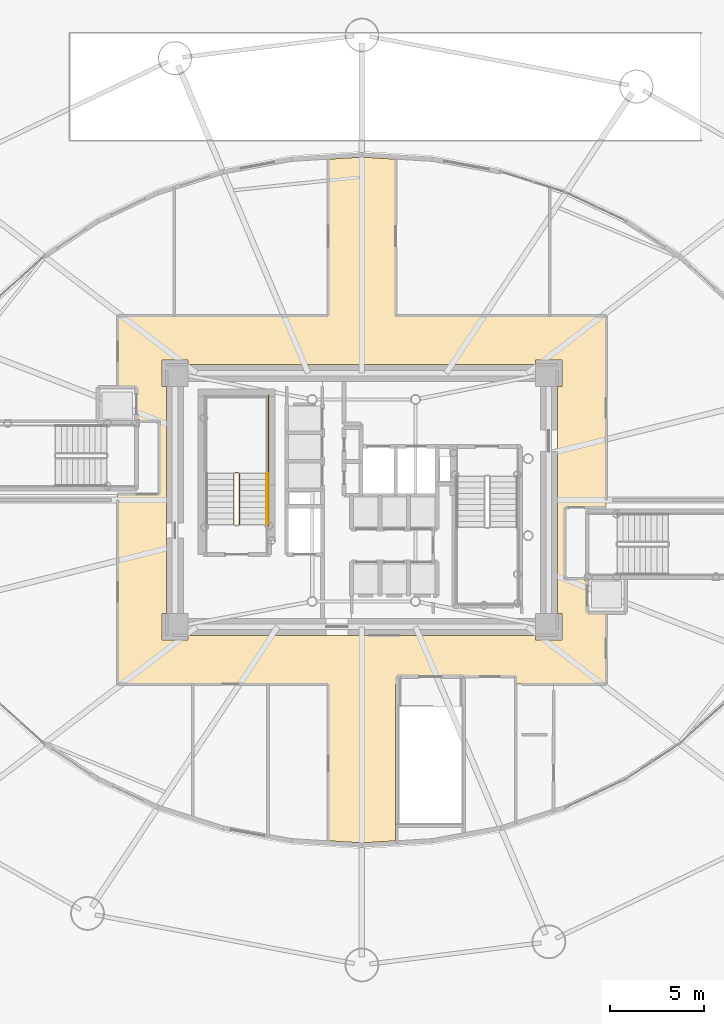
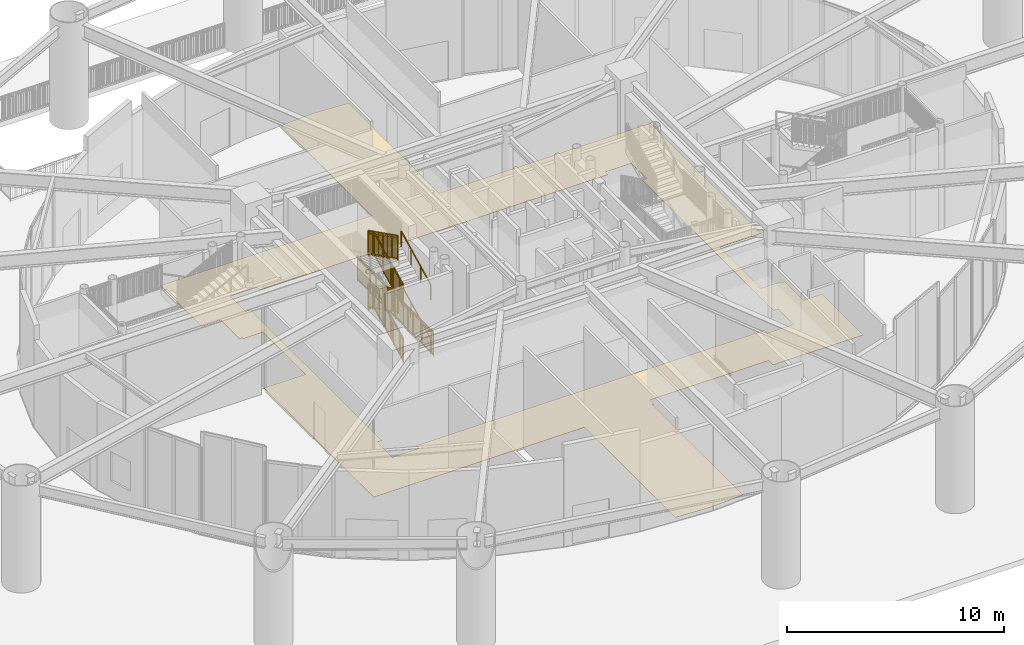
# One storey, part 37 of 46: 9 railings, 1 covering.
"""IFC4 building model written with IfcOpenShell, lengths in metres."""

from ifc_helpers import new_model, si_unit, direction, frame, origin, origin_2d, place, context, subcontext, project, spatial, polyline, rectangle, outline, extrude, source, transform, mapped, material, layer, layer_set, type_object, element, save


model = new_model("IFC4")

# Units and contexts
model_context = context("Model", 3, precision=1e-05, world=origin(), true_north=direction((0.0, 1.0)))
body_context = subcontext(model_context, "Body", "Model", "MODEL_VIEW")
ifc_project = project(units=[si_unit("LENGTHUNIT", "METRE"), si_unit("AREAUNIT", "SQUARE_METRE"), si_unit("VOLUMEUNIT", "CUBIC_METRE"), si_unit("PLANEANGLEUNIT", "RADIAN"), si_unit("MASSUNIT", "GRAM", prefix="KILO")], contexts=[model_context])

# Site, building, storey
site_placement = place(None, origin())
site = spatial("IfcSite", under=ifc_project, at=site_placement, CompositionType="ELEMENT")
building_placement = place(site_placement, origin())
building = spatial("IfcBuilding", under=site, at=building_placement, Name="Linh Dai School and Residence Tower", CompositionType="ELEMENT")
storey_placement = place(building_placement, origin())
storey = spatial("IfcBuildingStorey", under=building, at=storey_placement, Name="L00", CompositionType="ELEMENT", Elevation=0.0)

# Covering
ifc_material_1 = material(Name="Polished Terrazzo Floor Finish", Category="masonry")
ifc_layer = layer(ifc_material_1, 0.02490234375)
ifc_layer_set = layer_set([ifc_layer], Name="Polished Terrazzo Floor Finish")
covering_type = type_object("IfcCoveringType", Name="COV-FLR-TRZ-25", PredefinedType="FLOORING", material=ifc_layer_set)
covering_placement = place(storey_placement, origin())
element("IfcCovering", 1, at=covering_placement, inside=storey, type_object=covering_type, Name="L00 Ground Entrance Concourse and Main Foyer Floor Finish", PredefinedType="FLOORING", context=body_context, shape_type="SweptSolid", body=[
    extrude(outline(polyline([(36.0, 8.75), (34.199951171875, 8.859130859375), (34.199951171875, 17.199951171875), (23.0, 17.199951171875), (23.0, 27.300048828125), (25.199951171875, 27.300048828125), (25.199951171875, 31.199951171875), (24.1533203125, 31.199951171875), (24.1533203125, 31.283203125), (24.0, 31.283203125), (24.0, 33.0), (23.0, 33.0), (23.0, 36.800048828125), (34.199951171875, 36.800048828125), (34.199951171875, 45.140869140625), (36.0, 45.25), (37.800048828125, 45.140869140625), (37.800048828125, 36.800048828125), (49.0, 36.800048828125), (49.0, 26.60009765625), (46.800048828125, 26.60009765625), (46.800048828125, 22.800048828125), (47.8466796875, 22.800048828125), (47.8466796875, 22.716796875), (48.0, 22.716796875), (48.0, 21.0), (49.0, 21.0), (49.0, 17.199951171875), (44.199951171875, 17.199951171875), (44.199951171875, 17.60009765625), (37.8798828125, 17.60009765625), (37.8798828125, 17.199951171875), (37.800048828125, 17.199951171875), (37.800048828125, 8.859130859375), (36.0, 8.75)]), holes=[polyline([(26.75, 34.199951171875), (26.75, 34.449951171875), (25.35009765625, 34.449951171875), (25.35009765625, 33.050048828125), (25.60009765625, 33.050048828125), (25.60009765625, 20.949951171875), (25.35009765625, 20.949951171875), (25.35009765625, 19.550048828125), (26.75, 19.550048828125), (26.75, 19.800048828125), (45.25, 19.800048828125), (45.25, 19.550048828125), (46.64990234375, 19.550048828125), (46.64990234375, 20.949951171875), (46.39990234375, 20.949951171875), (46.39990234375, 33.050048828125), (46.64990234375, 33.050048828125), (46.64990234375, 34.449951171875), (45.25, 34.449951171875), (45.25, 34.199951171875), (26.75, 34.199951171875)])]), origin(), (0.0, 0.0, 1.0), 0.02001953125),
])

# Railings
ifc_material_2 = material(Name="Structural Steel S355JR", Category="steel")
railing_type_1 = type_object("IfcRailingType", Name="RL-ST-GUARD-1400", PredefinedType="GUARDRAIL", material=ifc_material_2)
shared_shape_1 = source(origin(), body_context, "Body", "SweptSolid", [
    extrude(rectangle(XDim=0.048095703125, YDim=0.048095703125, at=origin_2d()), frame((0.0, 0.0, 1.3759765625), z_axis=(-1.0, 0.0, 0.0), x_axis=(0.0, -1.0, 0.0)), (0.0, 0.0, 1.0), 0.199951171875),
    extrude(rectangle(XDim=0.048095703125, YDim=0.048095703125, at=origin_2d()), frame((0.0, 0.0, 0.10009765625), z_axis=(-1.0, 0.0, 0.0), x_axis=(0.0, -1.0, 0.0)), (0.0, 0.0, 1.0), 0.199951171875),
    extrude(rectangle(XDim=0.030029296875, YDim=0.030029296875, at=origin_2d()), frame((0.0, 0.0, 1.239990234375), z_axis=(-1.0, 0.0, 0.0), x_axis=(0.0, -1.0, 0.0)), (0.0, 0.0, 1.0), 0.199951171875),
    extrude(rectangle(XDim=0.0419921875, YDim=0.0419921875, at=origin_2d()), origin(), (0.0, 0.0, 1.0), 1.3759765625),
    extrude(rectangle(XDim=0.0419921875, YDim=0.0419921875, at=origin_2d()), frame((-0.199951171875, 0.0, 0.0)), (0.0, 0.0, 1.0), 1.3759765625),
])
for number, where, name in (
    (2, (29.429931640625, 28.449951171875, 1.5), "L00 ST1 stair guard 2"),
    (3, (29.429931640625, 28.449951171875, 4.5), "L00 ST1 stair guard 11"),
):
    element("IfcRailing", number, at=place(storey_placement, frame(where)), inside=storey, type_object=railing_type_1, Name=name, PredefinedType="GUARDRAIL", context=body_context, shape_type="MappedRepresentation", body=[
        mapped(shared_shape_1, transform((0.0, 0.0, 0.0), x_axis=(1.0, 0.0, 0.0), y_axis=(0.0, 1.0, 0.0), z_axis=(0.0, 0.0, 1.0), scale=1.0)),
    ])
shared_shape_2 = source(origin(), body_context, "Body", "SweptSolid", [
    extrude(rectangle(XDim=0.048095703125, YDim=0.048095703125, at=origin_2d()), frame((0.0, 0.0, 1.3759765625), z_axis=(0.0, 1.0, 0.0), x_axis=(-1.0, 0.0, 0.0)), (0.0, 0.0, 1.0), 7.0),
    extrude(rectangle(XDim=0.048095703125, YDim=0.048095703125, at=origin_2d()), frame((0.0, 0.0, 0.10009765625), z_axis=(0.0, 1.0, 0.0), x_axis=(-1.0, 0.0, 0.0)), (0.0, 0.0, 1.0), 7.0),
    extrude(rectangle(XDim=0.030029296875, YDim=0.030029296875, at=origin_2d()), frame((0.0, 0.0, 1.239990234375), z_axis=(0.0, 1.0, 0.0), x_axis=(-1.0, 0.0, 0.0)), (0.0, 0.0, 1.0), 7.0),
    extrude(rectangle(XDim=0.02001953125, YDim=0.02001953125, at=origin_2d()), frame((0.0, 0.09716796875, 0.10009765625)), (0.0, 0.0, 1.0), 1.251708984375),
    extrude(rectangle(XDim=0.02001953125, YDim=0.02001953125, at=origin_2d()), frame((0.0, 0.1943359375, 0.10009765625)), (0.0, 0.0, 1.0), 1.251708984375),
    extrude(rectangle(XDim=0.02001953125, YDim=0.02001953125, at=origin_2d()), frame((0.0, 0.291748046875, 0.10009765625)), (0.0, 0.0, 1.0), 1.251708984375),
    extrude(rectangle(XDim=0.02001953125, YDim=0.02001953125, at=origin_2d()), frame((0.0, 0.388916015625, 0.10009765625)), (0.0, 0.0, 1.0), 1.251708984375),
    extrude(rectangle(XDim=0.02001953125, YDim=0.02001953125, at=origin_2d()), frame((0.0, 0.486083984375, 0.10009765625)), (0.0, 0.0, 1.0), 1.251708984375),
    extrude(rectangle(XDim=0.02001953125, YDim=0.02001953125, at=origin_2d()), frame((0.0, 0.583251953125, 0.10009765625)), (0.0, 0.0, 1.0), 1.251708984375),
    extrude(rectangle(XDim=0.02001953125, YDim=0.02001953125, at=origin_2d()), frame((0.0, 0.6806640625, 0.10009765625)), (0.0, 0.0, 1.0), 1.251708984375),
    extrude(rectangle(XDim=0.02001953125, YDim=0.02001953125, at=origin_2d()), frame((0.0, 0.77783203125, 0.10009765625)), (0.0, 0.0, 1.0), 1.251708984375),
    extrude(rectangle(XDim=0.02001953125, YDim=0.02001953125, at=origin_2d()), frame((0.0, 0.875, 0.10009765625)), (0.0, 0.0, 1.0), 1.251708984375),
    extrude(rectangle(XDim=0.02001953125, YDim=0.02001953125, at=origin_2d()), frame((0.0, 0.97216796875, 0.10009765625)), (0.0, 0.0, 1.0), 1.251708984375),
    extrude(rectangle(XDim=0.02001953125, YDim=0.02001953125, at=origin_2d()), frame((0.0, 1.0693359375, 0.10009765625)), (0.0, 0.0, 1.0), 1.251708984375),
    extrude(rectangle(XDim=0.02001953125, YDim=0.02001953125, at=origin_2d()), frame((0.0, 1.263916015625, 0.10009765625)), (0.0, 0.0, 1.0), 1.251708984375),
    extrude(rectangle(XDim=0.02001953125, YDim=0.02001953125, at=origin_2d()), frame((0.0, 1.361083984375, 0.10009765625)), (0.0, 0.0, 1.0), 1.251708984375),
    extrude(rectangle(XDim=0.02001953125, YDim=0.02001953125, at=origin_2d()), frame((0.0, 1.458251953125, 0.10009765625)), (0.0, 0.0, 1.0), 1.251708984375),
    extrude(rectangle(XDim=0.02001953125, YDim=0.02001953125, at=origin_2d()), frame((0.0, 1.5556640625, 0.10009765625)), (0.0, 0.0, 1.0), 1.251708984375),
    extrude(rectangle(XDim=0.02001953125, YDim=0.02001953125, at=origin_2d()), frame((0.0, 1.65283203125, 0.10009765625)), (0.0, 0.0, 1.0), 1.251708984375),
    extrude(rectangle(XDim=0.02001953125, YDim=0.02001953125, at=origin_2d()), frame((0.0, 1.75, 0.10009765625)), (0.0, 0.0, 1.0), 1.251708984375),
    extrude(rectangle(XDim=0.02001953125, YDim=0.02001953125, at=origin_2d()), frame((0.0, 1.84716796875, 0.10009765625)), (0.0, 0.0, 1.0), 1.251708984375),
    extrude(rectangle(XDim=0.02001953125, YDim=0.02001953125, at=origin_2d()), frame((0.0, 1.9443359375, 0.10009765625)), (0.0, 0.0, 1.0), 1.251708984375),
    extrude(rectangle(XDim=0.02001953125, YDim=0.02001953125, at=origin_2d()), frame((0.0, 2.041748046875, 0.10009765625)), (0.0, 0.0, 1.0), 1.251708984375),
    extrude(rectangle(XDim=0.02001953125, YDim=0.02001953125, at=origin_2d()), frame((0.0, 2.138916015625, 0.10009765625)), (0.0, 0.0, 1.0), 1.251708984375),
    extrude(rectangle(XDim=0.02001953125, YDim=0.02001953125, at=origin_2d()), frame((0.0, 2.236083984375, 0.10009765625)), (0.0, 0.0, 1.0), 1.251708984375),
    extrude(rectangle(XDim=0.02001953125, YDim=0.02001953125, at=origin_2d()), frame((0.0, 2.4306640625, 0.10009765625)), (0.0, 0.0, 1.0), 1.251708984375),
    extrude(rectangle(XDim=0.02001953125, YDim=0.02001953125, at=origin_2d()), frame((0.0, 2.52783203125, 0.10009765625)), (0.0, 0.0, 1.0), 1.251708984375),
    extrude(rectangle(XDim=0.02001953125, YDim=0.02001953125, at=origin_2d()), frame((0.0, 2.625, 0.10009765625)), (0.0, 0.0, 1.0), 1.251708984375),
    extrude(rectangle(XDim=0.02001953125, YDim=0.02001953125, at=origin_2d()), frame((0.0, 2.72216796875, 0.10009765625)), (0.0, 0.0, 1.0), 1.251708984375),
    extrude(rectangle(XDim=0.02001953125, YDim=0.02001953125, at=origin_2d()), frame((0.0, 2.8193359375, 0.10009765625)), (0.0, 0.0, 1.0), 1.251708984375),
    extrude(rectangle(XDim=0.02001953125, YDim=0.02001953125, at=origin_2d()), frame((0.0, 2.916748046875, 0.10009765625)), (0.0, 0.0, 1.0), 1.251708984375),
    extrude(rectangle(XDim=0.02001953125, YDim=0.02001953125, at=origin_2d()), frame((0.0, 3.013916015625, 0.10009765625)), (0.0, 0.0, 1.0), 1.251708984375),
    extrude(rectangle(XDim=0.02001953125, YDim=0.02001953125, at=origin_2d()), frame((0.0, 3.111083984375, 0.10009765625)), (0.0, 0.0, 1.0), 1.251708984375),
    extrude(rectangle(XDim=0.02001953125, YDim=0.02001953125, at=origin_2d()), frame((0.0, 3.208251953125, 0.10009765625)), (0.0, 0.0, 1.0), 1.251708984375),
    extrude(rectangle(XDim=0.02001953125, YDim=0.02001953125, at=origin_2d()), frame((0.0, 3.3056640625, 0.10009765625)), (0.0, 0.0, 1.0), 1.251708984375),
    extrude(rectangle(XDim=0.02001953125, YDim=0.02001953125, at=origin_2d()), frame((0.0, 3.40283203125, 0.10009765625)), (0.0, 0.0, 1.0), 1.251708984375),
    extrude(rectangle(XDim=0.02001953125, YDim=0.02001953125, at=origin_2d()), frame((0.0, 3.59716796875, 0.10009765625)), (0.0, 0.0, 1.0), 1.251708984375),
    extrude(rectangle(XDim=0.02001953125, YDim=0.02001953125, at=origin_2d()), frame((0.0, 3.6943359375, 0.10009765625)), (0.0, 0.0, 1.0), 1.251708984375),
    extrude(rectangle(XDim=0.02001953125, YDim=0.02001953125, at=origin_2d()), frame((0.0, 3.791748046875, 0.10009765625)), (0.0, 0.0, 1.0), 1.251708984375),
    extrude(rectangle(XDim=0.02001953125, YDim=0.02001953125, at=origin_2d()), frame((0.0, 3.888916015625, 0.10009765625)), (0.0, 0.0, 1.0), 1.251708984375),
    extrude(rectangle(XDim=0.02001953125, YDim=0.02001953125, at=origin_2d()), frame((0.0, 3.986083984375, 0.10009765625)), (0.0, 0.0, 1.0), 1.251708984375),
    extrude(rectangle(XDim=0.02001953125, YDim=0.02001953125, at=origin_2d()), frame((0.0, 4.083251953125, 0.10009765625)), (0.0, 0.0, 1.0), 1.251708984375),
    extrude(rectangle(XDim=0.02001953125, YDim=0.02001953125, at=origin_2d()), frame((0.0, 4.1806640625, 0.10009765625)), (0.0, 0.0, 1.0), 1.251708984375),
    extrude(rectangle(XDim=0.02001953125, YDim=0.02001953125, at=origin_2d()), frame((0.0, 4.27783203125, 0.10009765625)), (0.0, 0.0, 1.0), 1.251708984375),
    extrude(rectangle(XDim=0.02001953125, YDim=0.02001953125, at=origin_2d()), frame((0.0, 4.375, 0.10009765625)), (0.0, 0.0, 1.0), 1.251708984375),
    extrude(rectangle(XDim=0.02001953125, YDim=0.02001953125, at=origin_2d()), frame((0.0, 4.47216796875, 0.10009765625)), (0.0, 0.0, 1.0), 1.251708984375),
    extrude(rectangle(XDim=0.02001953125, YDim=0.02001953125, at=origin_2d()), frame((0.0, 4.5693359375, 0.10009765625)), (0.0, 0.0, 1.0), 1.251708984375),
    extrude(rectangle(XDim=0.02001953125, YDim=0.02001953125, at=origin_2d()), frame((0.0, 4.763916015625, 0.10009765625)), (0.0, 0.0, 1.0), 1.251708984375),
    extrude(rectangle(XDim=0.02001953125, YDim=0.02001953125, at=origin_2d()), frame((0.0, 4.861083984375, 0.10009765625)), (0.0, 0.0, 1.0), 1.251708984375),
    extrude(rectangle(XDim=0.02001953125, YDim=0.02001953125, at=origin_2d()), frame((0.0, 4.958251953125, 0.10009765625)), (0.0, 0.0, 1.0), 1.251708984375),
    extrude(rectangle(XDim=0.02001953125, YDim=0.02001953125, at=origin_2d()), frame((0.0, 5.0556640625, 0.10009765625)), (0.0, 0.0, 1.0), 1.251708984375),
    extrude(rectangle(XDim=0.02001953125, YDim=0.02001953125, at=origin_2d()), frame((0.0, 5.15283203125, 0.10009765625)), (0.0, 0.0, 1.0), 1.251708984375),
    extrude(rectangle(XDim=0.02001953125, YDim=0.02001953125, at=origin_2d()), frame((0.0, 5.25, 0.10009765625)), (0.0, 0.0, 1.0), 1.251708984375),
    extrude(rectangle(XDim=0.02001953125, YDim=0.02001953125, at=origin_2d()), frame((0.0, 5.34716796875, 0.10009765625)), (0.0, 0.0, 1.0), 1.251708984375),
    extrude(rectangle(XDim=0.02001953125, YDim=0.02001953125, at=origin_2d()), frame((0.0, 5.4443359375, 0.10009765625)), (0.0, 0.0, 1.0), 1.251708984375),
    extrude(rectangle(XDim=0.02001953125, YDim=0.02001953125, at=origin_2d()), frame((0.0, 5.541748046875, 0.10009765625)), (0.0, 0.0, 1.0), 1.251708984375),
    extrude(rectangle(XDim=0.02001953125, YDim=0.02001953125, at=origin_2d()), frame((0.0, 5.638916015625, 0.10009765625)), (0.0, 0.0, 1.0), 1.251708984375),
    extrude(rectangle(XDim=0.02001953125, YDim=0.02001953125, at=origin_2d()), frame((0.0, 5.736083984375, 0.10009765625)), (0.0, 0.0, 1.0), 1.251708984375),
    extrude(rectangle(XDim=0.02001953125, YDim=0.02001953125, at=origin_2d()), frame((0.0, 5.9306640625, 0.10009765625)), (0.0, 0.0, 1.0), 1.251708984375),
    extrude(rectangle(XDim=0.02001953125, YDim=0.02001953125, at=origin_2d()), frame((0.0, 6.02783203125, 0.10009765625)), (0.0, 0.0, 1.0), 1.251708984375),
    extrude(rectangle(XDim=0.02001953125, YDim=0.02001953125, at=origin_2d()), frame((0.0, 6.125, 0.10009765625)), (0.0, 0.0, 1.0), 1.251708984375),
    extrude(rectangle(XDim=0.02001953125, YDim=0.02001953125, at=origin_2d()), frame((0.0, 6.22216796875, 0.10009765625)), (0.0, 0.0, 1.0), 1.251708984375),
    extrude(rectangle(XDim=0.02001953125, YDim=0.02001953125, at=origin_2d()), frame((0.0, 6.3193359375, 0.10009765625)), (0.0, 0.0, 1.0), 1.251708984375),
    extrude(rectangle(XDim=0.02001953125, YDim=0.02001953125, at=origin_2d()), frame((0.0, 6.416748046875, 0.10009765625)), (0.0, 0.0, 1.0), 1.251708984375),
    extrude(rectangle(XDim=0.02001953125, YDim=0.02001953125, at=origin_2d()), frame((0.0, 6.513916015625, 0.10009765625)), (0.0, 0.0, 1.0), 1.251708984375),
    extrude(rectangle(XDim=0.02001953125, YDim=0.02001953125, at=origin_2d()), frame((0.0, 6.611083984375, 0.10009765625)), (0.0, 0.0, 1.0), 1.251708984375),
    extrude(rectangle(XDim=0.02001953125, YDim=0.02001953125, at=origin_2d()), frame((0.0, 6.708251953125, 0.10009765625)), (0.0, 0.0, 1.0), 1.251708984375),
    extrude(rectangle(XDim=0.02001953125, YDim=0.02001953125, at=origin_2d()), frame((0.0, 6.8056640625, 0.10009765625)), (0.0, 0.0, 1.0), 1.251708984375),
    extrude(rectangle(XDim=0.02001953125, YDim=0.02001953125, at=origin_2d()), frame((0.0, 6.90283203125, 0.10009765625)), (0.0, 0.0, 1.0), 1.251708984375),
    extrude(rectangle(XDim=0.0419921875, YDim=0.0419921875, at=origin_2d()), origin(), (0.0, 0.0, 1.0), 1.3759765625),
    extrude(rectangle(XDim=0.0419921875, YDim=0.0419921875, at=origin_2d()), frame((0.0, 1.166748046875, 0.0)), (0.0, 0.0, 1.0), 1.3759765625),
    extrude(rectangle(XDim=0.0419921875, YDim=0.0419921875, at=origin_2d()), frame((0.0, 2.333251953125, 0.0)), (0.0, 0.0, 1.0), 1.3759765625),
    extrude(rectangle(XDim=0.0419921875, YDim=0.0419921875, at=origin_2d()), frame((0.0, 3.5, 0.0)), (0.0, 0.0, 1.0), 1.3759765625),
    extrude(rectangle(XDim=0.0419921875, YDim=0.0419921875, at=origin_2d()), frame((0.0, 4.666748046875, 0.0)), (0.0, 0.0, 1.0), 1.3759765625),
    extrude(rectangle(XDim=0.0419921875, YDim=0.0419921875, at=origin_2d()), frame((0.0, 5.833251953125, 0.0)), (0.0, 0.0, 1.0), 1.3759765625),
    extrude(rectangle(XDim=0.0419921875, YDim=0.0419921875, at=origin_2d()), frame((0.0, 7.0, 0.0)), (0.0, 0.0, 1.0), 1.3759765625),
])
railing_placement = place(storey_placement, frame((31.030029296875, 25.60009765625, 0.0)))
element("IfcRailing", 4, at=railing_placement, inside=storey, type_object=railing_type_1, Name="L00 ST1 stair guard 19", PredefinedType="GUARDRAIL", context=body_context, shape_type="MappedRepresentation", body=[
    mapped(shared_shape_2, transform((0.0, 0.0, 0.0), x_axis=(1.0, 0.0, 0.0), y_axis=(0.0, 1.0, 0.0), z_axis=(0.0, 0.0, 1.0), scale=1.0)),
])
shared_shape_3 = source(origin(), body_context, "Body", "SweptSolid", [
    extrude(rectangle(XDim=0.048095703125, YDim=0.048095703125, at=origin_2d()), frame((0.0, 0.0, 1.3759765625), z_axis=(0.0, 0.894411015155, 0.447245945728), x_axis=(-1.0, 0.0, 0.0)), (0.0, 0.0, 1.0), 3.018798828125),
    extrude(rectangle(XDim=0.048095703125, YDim=0.048095703125, at=origin_2d()), frame((0.0, 0.0, 0.10009765625), z_axis=(0.0, 0.894411015155, 0.447245945728), x_axis=(-1.0, 0.0, 0.0)), (0.0, 0.0, 1.0), 3.018798828125),
    extrude(rectangle(XDim=0.030029296875, YDim=0.030029296875, at=origin_2d()), frame((0.0, 0.0, 1.239990234375), z_axis=(0.0, 0.894411015155, 0.447245945728), x_axis=(-1.0, 0.0, 0.0)), (0.0, 0.0, 1.0), 3.018798828125),
    extrude(rectangle(XDim=0.02001953125, YDim=0.02001953125, at=origin_2d()), frame((0.0, 0.087158203125, 0.1435546875)), (0.0, 0.0, 1.0), 1.251708984375),
    extrude(rectangle(XDim=0.02001953125, YDim=0.02001953125, at=origin_2d()), frame((0.0, 0.174072265625, 0.187255859375)), (0.0, 0.0, 1.0), 1.251708984375),
    extrude(rectangle(XDim=0.02001953125, YDim=0.02001953125, at=origin_2d()), frame((0.0, 0.26123046875, 0.230712890625)), (0.0, 0.0, 1.0), 1.251708984375),
    extrude(rectangle(XDim=0.02001953125, YDim=0.02001953125, at=origin_2d()), frame((0.0, 0.348388671875, 0.2744140625)), (0.0, 0.0, 1.0), 1.251708984375),
    extrude(rectangle(XDim=0.02001953125, YDim=0.02001953125, at=origin_2d()), frame((0.0, 0.435546875, 0.31787109375)), (0.0, 0.0, 1.0), 1.251708984375),
    extrude(rectangle(XDim=0.02001953125, YDim=0.02001953125, at=origin_2d()), frame((0.0, 0.5224609375, 0.361328125)), (0.0, 0.0, 1.0), 1.251708984375),
    extrude(rectangle(XDim=0.02001953125, YDim=0.02001953125, at=origin_2d()), frame((0.0, 0.609619140625, 0.405029296875)), (0.0, 0.0, 1.0), 1.251708984375),
    extrude(rectangle(XDim=0.02001953125, YDim=0.02001953125, at=origin_2d()), frame((0.0, 0.69677734375, 0.448486328125)), (0.0, 0.0, 1.0), 1.251708984375),
    extrude(rectangle(XDim=0.02001953125, YDim=0.02001953125, at=origin_2d()), frame((0.0, 0.783935546875, 0.491943359375)), (0.0, 0.0, 1.0), 1.251708984375),
    extrude(rectangle(XDim=0.02001953125, YDim=0.02001953125, at=origin_2d()), frame((0.0, 0.9580078125, 0.5791015625)), (0.0, 0.0, 1.0), 1.251708984375),
    extrude(rectangle(XDim=0.02001953125, YDim=0.02001953125, at=origin_2d()), frame((0.0, 1.045166015625, 0.622802734375)), (0.0, 0.0, 1.0), 1.251708984375),
    extrude(rectangle(XDim=0.02001953125, YDim=0.02001953125, at=origin_2d()), frame((0.0, 1.13232421875, 0.666259765625)), (0.0, 0.0, 1.0), 1.251708984375),
    extrude(rectangle(XDim=0.02001953125, YDim=0.02001953125, at=origin_2d()), frame((0.0, 1.21923828125, 0.709716796875)), (0.0, 0.0, 1.0), 1.251708984375),
    extrude(rectangle(XDim=0.02001953125, YDim=0.02001953125, at=origin_2d()), frame((0.0, 1.306396484375, 0.75341796875)), (0.0, 0.0, 1.0), 1.251708984375),
    extrude(rectangle(XDim=0.02001953125, YDim=0.02001953125, at=origin_2d()), frame((0.0, 1.3935546875, 0.796875)), (0.0, 0.0, 1.0), 1.251708984375),
    extrude(rectangle(XDim=0.02001953125, YDim=0.02001953125, at=origin_2d()), frame((0.0, 1.480712890625, 0.840576171875)), (0.0, 0.0, 1.0), 1.251708984375),
    extrude(rectangle(XDim=0.02001953125, YDim=0.02001953125, at=origin_2d()), frame((0.0, 1.567626953125, 0.884033203125)), (0.0, 0.0, 1.0), 1.251708984375),
    extrude(rectangle(XDim=0.02001953125, YDim=0.02001953125, at=origin_2d()), frame((0.0, 1.65478515625, 0.927490234375)), (0.0, 0.0, 1.0), 1.251708984375),
    extrude(rectangle(XDim=0.02001953125, YDim=0.02001953125, at=origin_2d()), frame((0.0, 1.741943359375, 0.97119140625)), (0.0, 0.0, 1.0), 1.251708984375),
    extrude(rectangle(XDim=0.02001953125, YDim=0.02001953125, at=origin_2d()), frame((0.0, 1.916015625, 1.058349609375)), (0.0, 0.0, 1.0), 1.251708984375),
    extrude(rectangle(XDim=0.02001953125, YDim=0.02001953125, at=origin_2d()), frame((0.0, 2.003173828125, 1.101806640625)), (0.0, 0.0, 1.0), 1.251708984375),
    extrude(rectangle(XDim=0.02001953125, YDim=0.02001953125, at=origin_2d()), frame((0.0, 2.09033203125, 1.145263671875)), (0.0, 0.0, 1.0), 1.251708984375),
    extrude(rectangle(XDim=0.02001953125, YDim=0.02001953125, at=origin_2d()), frame((0.0, 2.177490234375, 1.18896484375)), (0.0, 0.0, 1.0), 1.251708984375),
    extrude(rectangle(XDim=0.02001953125, YDim=0.02001953125, at=origin_2d()), frame((0.0, 2.264404296875, 1.232421875)), (0.0, 0.0, 1.0), 1.251708984375),
    extrude(rectangle(XDim=0.02001953125, YDim=0.02001953125, at=origin_2d()), frame((0.0, 2.3515625, 1.27587890625)), (0.0, 0.0, 1.0), 1.251708984375),
    extrude(rectangle(XDim=0.02001953125, YDim=0.02001953125, at=origin_2d()), frame((0.0, 2.438720703125, 1.319580078125)), (0.0, 0.0, 1.0), 1.251708984375),
    extrude(rectangle(XDim=0.02001953125, YDim=0.02001953125, at=origin_2d()), frame((0.0, 2.52587890625, 1.363037109375)), (0.0, 0.0, 1.0), 1.251708984375),
    extrude(rectangle(XDim=0.02001953125, YDim=0.02001953125, at=origin_2d()), frame((0.0, 2.61279296875, 1.40673828125)), (0.0, 0.0, 1.0), 1.251708984375),
    extrude(rectangle(XDim=0.0419921875, YDim=0.0419921875, at=origin_2d()), origin(), (0.0, 0.0, 1.0), 1.3759765625),
    extrude(rectangle(XDim=0.0419921875, YDim=0.0419921875, at=origin_2d()), frame((0.0, 0.89990234375, 0.449951171875)), (0.0, 0.0, 1.0), 1.3759765625),
    extrude(rectangle(XDim=0.0419921875, YDim=0.0419921875, at=origin_2d()), frame((0.0, 1.800048828125, 0.900146484375)), (0.0, 0.0, 1.0), 1.3759765625),
    extrude(rectangle(XDim=0.0419921875, YDim=0.0419921875, at=origin_2d()), frame((0.0, 2.699951171875, 1.35009765625)), (0.0, 0.0, 1.0), 1.3759765625),
])
for number, where, name in (
    (5, (29.47998046875, 25.699951171875, 0.14990234375), "L00 ST1 stair guard 1"),
    (6, (29.47998046875, 25.699951171875, 3.14990234375), "L00 ST1 stair guard 10"),
):
    element("IfcRailing", number, at=place(storey_placement, frame(where)), inside=storey, type_object=railing_type_1, Name=name, PredefinedType="GUARDRAIL", context=body_context, shape_type="MappedRepresentation", body=[
        mapped(shared_shape_3, transform((0.0, 0.0, 0.0), x_axis=(1.0, 0.0, 0.0), y_axis=(0.0, 1.0, 0.0), z_axis=(0.0, 0.0, 1.0), scale=1.0)),
    ])
shared_shape_4 = source(origin(), body_context, "Body", "SweptSolid", [
    extrude(rectangle(XDim=0.048095703125, YDim=0.048095703125, at=origin_2d()), frame((0.0, 0.0, 1.3759765625), z_axis=(0.0, -0.894411015155, 0.447245945728), x_axis=(1.0, 0.0, 0.0)), (0.0, 0.0, 1.0), 3.018798828125),
    extrude(rectangle(XDim=0.048095703125, YDim=0.048095703125, at=origin_2d()), frame((0.0, 0.0, 0.10009765625), z_axis=(0.0, -0.894411015155, 0.447245945728), x_axis=(1.0, 0.0, 0.0)), (0.0, 0.0, 1.0), 3.018798828125),
    extrude(rectangle(XDim=0.030029296875, YDim=0.030029296875, at=origin_2d()), frame((0.0, 0.0, 1.239990234375), z_axis=(0.0, -0.894411015155, 0.447245945728), x_axis=(1.0, 0.0, 0.0)), (0.0, 0.0, 1.0), 3.018798828125),
    extrude(rectangle(XDim=0.02001953125, YDim=0.02001953125, at=origin_2d()), frame((0.0, -0.087158203125, 0.1435546875)), (0.0, 0.0, 1.0), 1.251708984375),
    extrude(rectangle(XDim=0.02001953125, YDim=0.02001953125, at=origin_2d()), frame((0.0, -0.174072265625, 0.187255859375)), (0.0, 0.0, 1.0), 1.251708984375),
    extrude(rectangle(XDim=0.02001953125, YDim=0.02001953125, at=origin_2d()), frame((0.0, -0.26123046875, 0.230712890625)), (0.0, 0.0, 1.0), 1.251708984375),
    extrude(rectangle(XDim=0.02001953125, YDim=0.02001953125, at=origin_2d()), frame((0.0, -0.348388671875, 0.2744140625)), (0.0, 0.0, 1.0), 1.251708984375),
    extrude(rectangle(XDim=0.02001953125, YDim=0.02001953125, at=origin_2d()), frame((0.0, -0.435546875, 0.31787109375)), (0.0, 0.0, 1.0), 1.251708984375),
    extrude(rectangle(XDim=0.02001953125, YDim=0.02001953125, at=origin_2d()), frame((0.0, -0.5224609375, 0.361328125)), (0.0, 0.0, 1.0), 1.251708984375),
    extrude(rectangle(XDim=0.02001953125, YDim=0.02001953125, at=origin_2d()), frame((0.0, -0.609619140625, 0.405029296875)), (0.0, 0.0, 1.0), 1.251708984375),
    extrude(rectangle(XDim=0.02001953125, YDim=0.02001953125, at=origin_2d()), frame((0.0, -0.69677734375, 0.448486328125)), (0.0, 0.0, 1.0), 1.251708984375),
    extrude(rectangle(XDim=0.02001953125, YDim=0.02001953125, at=origin_2d()), frame((0.0, -0.783935546875, 0.491943359375)), (0.0, 0.0, 1.0), 1.251708984375),
    extrude(rectangle(XDim=0.02001953125, YDim=0.02001953125, at=origin_2d()), frame((0.0, -0.9580078125, 0.5791015625)), (0.0, 0.0, 1.0), 1.251708984375),
    extrude(rectangle(XDim=0.02001953125, YDim=0.02001953125, at=origin_2d()), frame((0.0, -1.045166015625, 0.622802734375)), (0.0, 0.0, 1.0), 1.251708984375),
    extrude(rectangle(XDim=0.02001953125, YDim=0.02001953125, at=origin_2d()), frame((0.0, -1.13232421875, 0.666259765625)), (0.0, 0.0, 1.0), 1.251708984375),
    extrude(rectangle(XDim=0.02001953125, YDim=0.02001953125, at=origin_2d()), frame((0.0, -1.21923828125, 0.709716796875)), (0.0, 0.0, 1.0), 1.251708984375),
    extrude(rectangle(XDim=0.02001953125, YDim=0.02001953125, at=origin_2d()), frame((0.0, -1.306396484375, 0.75341796875)), (0.0, 0.0, 1.0), 1.251708984375),
    extrude(rectangle(XDim=0.02001953125, YDim=0.02001953125, at=origin_2d()), frame((0.0, -1.3935546875, 0.796875)), (0.0, 0.0, 1.0), 1.251708984375),
    extrude(rectangle(XDim=0.02001953125, YDim=0.02001953125, at=origin_2d()), frame((0.0, -1.480712890625, 0.840576171875)), (0.0, 0.0, 1.0), 1.251708984375),
    extrude(rectangle(XDim=0.02001953125, YDim=0.02001953125, at=origin_2d()), frame((0.0, -1.567626953125, 0.884033203125)), (0.0, 0.0, 1.0), 1.251708984375),
    extrude(rectangle(XDim=0.02001953125, YDim=0.02001953125, at=origin_2d()), frame((0.0, -1.65478515625, 0.927490234375)), (0.0, 0.0, 1.0), 1.251708984375),
    extrude(rectangle(XDim=0.02001953125, YDim=0.02001953125, at=origin_2d()), frame((0.0, -1.741943359375, 0.97119140625)), (0.0, 0.0, 1.0), 1.251708984375),
    extrude(rectangle(XDim=0.02001953125, YDim=0.02001953125, at=origin_2d()), frame((0.0, -1.916015625, 1.058349609375)), (0.0, 0.0, 1.0), 1.251708984375),
    extrude(rectangle(XDim=0.02001953125, YDim=0.02001953125, at=origin_2d()), frame((0.0, -2.003173828125, 1.101806640625)), (0.0, 0.0, 1.0), 1.251708984375),
    extrude(rectangle(XDim=0.02001953125, YDim=0.02001953125, at=origin_2d()), frame((0.0, -2.09033203125, 1.145263671875)), (0.0, 0.0, 1.0), 1.251708984375),
    extrude(rectangle(XDim=0.02001953125, YDim=0.02001953125, at=origin_2d()), frame((0.0, -2.177490234375, 1.18896484375)), (0.0, 0.0, 1.0), 1.251708984375),
    extrude(rectangle(XDim=0.02001953125, YDim=0.02001953125, at=origin_2d()), frame((0.0, -2.264404296875, 1.232421875)), (0.0, 0.0, 1.0), 1.251708984375),
    extrude(rectangle(XDim=0.02001953125, YDim=0.02001953125, at=origin_2d()), frame((0.0, -2.3515625, 1.27587890625)), (0.0, 0.0, 1.0), 1.251708984375),
    extrude(rectangle(XDim=0.02001953125, YDim=0.02001953125, at=origin_2d()), frame((0.0, -2.438720703125, 1.319580078125)), (0.0, 0.0, 1.0), 1.251708984375),
    extrude(rectangle(XDim=0.02001953125, YDim=0.02001953125, at=origin_2d()), frame((0.0, -2.52587890625, 1.363037109375)), (0.0, 0.0, 1.0), 1.251708984375),
    extrude(rectangle(XDim=0.02001953125, YDim=0.02001953125, at=origin_2d()), frame((0.0, -2.61279296875, 1.40673828125)), (0.0, 0.0, 1.0), 1.251708984375),
    extrude(rectangle(XDim=0.0419921875, YDim=0.0419921875, at=origin_2d()), origin(), (0.0, 0.0, 1.0), 1.3759765625),
    extrude(rectangle(XDim=0.0419921875, YDim=0.0419921875, at=origin_2d()), frame((0.0, -0.89990234375, 0.449951171875)), (0.0, 0.0, 1.0), 1.3759765625),
    extrude(rectangle(XDim=0.0419921875, YDim=0.0419921875, at=origin_2d()), frame((0.0, -1.800048828125, 0.900146484375)), (0.0, 0.0, 1.0), 1.3759765625),
    extrude(rectangle(XDim=0.0419921875, YDim=0.0419921875, at=origin_2d()), frame((0.0, -2.699951171875, 1.35009765625)), (0.0, 0.0, 1.0), 1.3759765625),
])
for number, where, name in (
    (7, (29.179931640625, 28.39990234375, 1.64990234375), "L00 ST1 stair guard 6"),
    (8, (29.179931640625, 28.39990234375, 4.64990234375), "L00 ST1 stair guard 15"),
):
    element("IfcRailing", number, at=place(storey_placement, frame(where)), inside=storey, type_object=railing_type_1, Name=name, PredefinedType="GUARDRAIL", context=body_context, shape_type="MappedRepresentation", body=[
        mapped(shared_shape_4, transform((0.0, 0.0, 0.0), x_axis=(1.0, 0.0, 0.0), y_axis=(0.0, 1.0, 0.0), z_axis=(0.0, 0.0, 1.0), scale=1.0)),
    ])
ifc_material_3 = material(Name="Brushed Stainless Steel Handrail", Category="steel")
railing_type_2 = type_object("IfcRailingType", Name="RL-ST-HANDRAIL-900", PredefinedType="HANDRAIL", material=ifc_material_3)
shared_shape_5 = source(origin(), body_context, "Body", "SweptSolid", [
    extrude(rectangle(XDim=0.048095703125, YDim=0.048095703125, at=origin_2d()), frame((0.0, 0.0, 0.8759765625), z_axis=(0.0, 0.894411015155, 0.447245945728), x_axis=(-1.0, 0.0, 0.0)), (0.0, 0.0, 1.0), 3.018798828125),
    extrude(rectangle(XDim=0.0419921875, YDim=0.0419921875, at=origin_2d()), origin(), (0.0, 0.0, 1.0), 0.8759765625),
    extrude(rectangle(XDim=0.0419921875, YDim=0.0419921875, at=origin_2d()), frame((0.0, 0.89990234375, 0.449951171875)), (0.0, 0.0, 1.0), 0.8759765625),
    extrude(rectangle(XDim=0.0419921875, YDim=0.0419921875, at=origin_2d()), frame((0.0, 1.800048828125, 0.900146484375)), (0.0, 0.0, 1.0), 0.8759765625),
    extrude(rectangle(XDim=0.0419921875, YDim=0.0419921875, at=origin_2d()), frame((0.0, 2.699951171875, 1.35009765625)), (0.0, 0.0, 1.0), 0.8759765625),
])
for number, where, name in (
    (9, (30.929931640625, 25.699951171875, 0.14990234375), "L00 ST1 stair handrail 1"),
    (10, (30.929931640625, 25.699951171875, 3.14990234375), "L00 ST1 stair handrail 3"),
):
    element("IfcRailing", number, at=place(storey_placement, frame(where)), inside=storey, type_object=railing_type_2, Name=name, PredefinedType="HANDRAIL", context=body_context, shape_type="MappedRepresentation", body=[
        mapped(shared_shape_5, transform((0.0, 0.0, 0.0), x_axis=(1.0, 0.0, 0.0), y_axis=(0.0, 1.0, 0.0), z_axis=(0.0, 0.0, 1.0), scale=1.0)),
    ])

save(model, "model.ifc")
